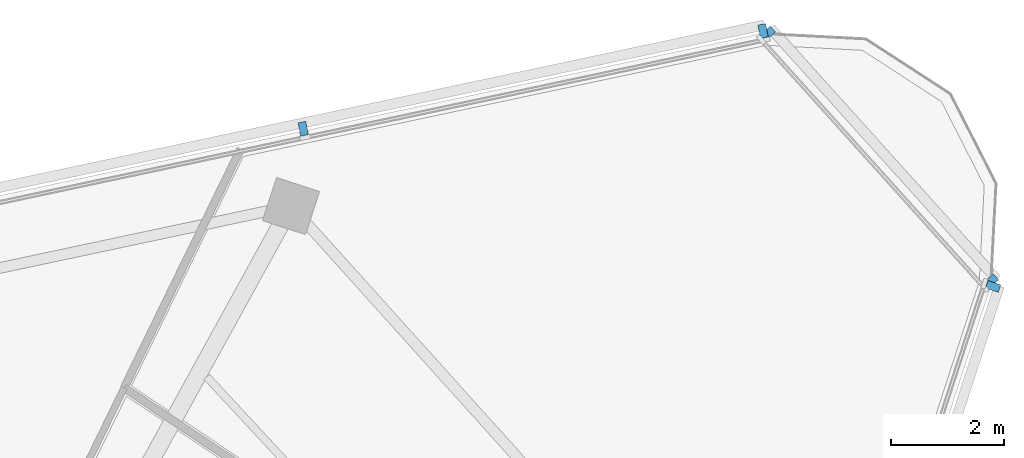
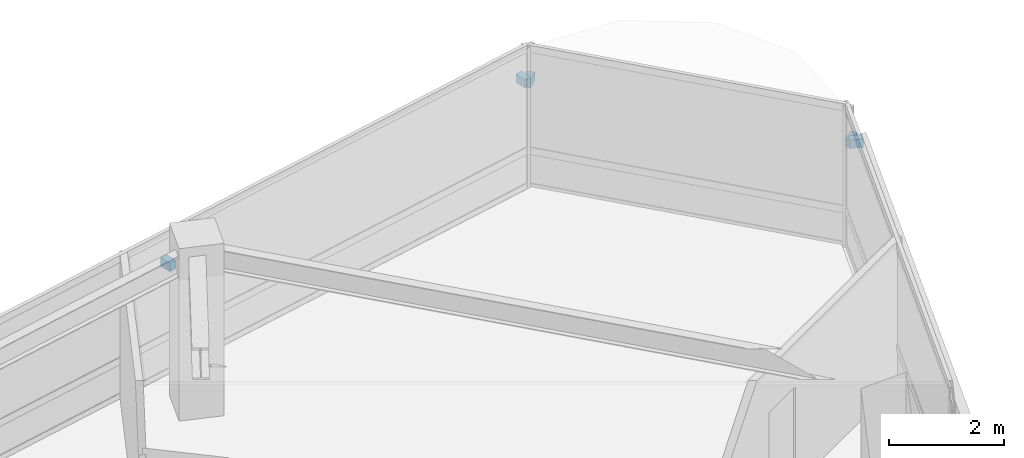
# One storey, part 11 of 15: 5 discrete accessories.
"""IFC4 building model written with IfcOpenShell, lengths in metres."""

from ifc_helpers import new_model, si_unit, direction, frame, origin, origin_2d, place, context, subcontext, project, spatial, rectangle, extrude, material, type_object, element, save


model = new_model("IFC4")

# Units and contexts
model_context = context("Model", 3, precision=1e-05, world=origin(), true_north=direction((0.0, 1.0)))
body_context = subcontext(model_context, "Body", "Model", "MODEL_VIEW")
ifc_project = project(units=[si_unit("LENGTHUNIT", "METRE"), si_unit("AREAUNIT", "SQUARE_METRE"), si_unit("VOLUMEUNIT", "CUBIC_METRE"), si_unit("PLANEANGLEUNIT", "RADIAN"), si_unit("MASSUNIT", "GRAM", prefix="KILO")], contexts=[model_context])

# Site, building, storey
site_placement = place(None, origin())
site = spatial("IfcSite", under=ifc_project, at=site_placement, CompositionType="ELEMENT")
building_placement = place(site_placement, origin())
building = spatial("IfcBuilding", under=site, at=building_placement, Name="Terralouvre Media Tower", CompositionType="ELEMENT")
storey_placement = place(building_placement, frame((0.0, 0.0, 305.39990234375)))
storey = spatial("IfcBuildingStorey", under=building, at=storey_placement, Name="L79", CompositionType="ELEMENT", Elevation=305.39990234375)

# Discrete accessories
ifc_material = material(Name="Anodised extruded aluminium 6063-T6", Category="aluminium")
discrete_accessory_type = type_object("IfcDiscreteAccessoryType", Name="Mullion Stand-Off Baguette Fixing Bracket BK-01", PredefinedType="BRACKET", material=ifc_material)
for number, where, z_axis, x_axis, name in (
    (1, (22.22802734375, 15.93359375, 2.07421875), (0.0, 0.0, 1.0), (0.309017021946, 0.951056507337, 0.0), "CW-L79-F0 Baguette Outrigger Bracket 1.06"),
    (2, (18.169677734375, 20.440673828125, 2.07421875), (0.0, 0.0, 1.0), (-0.978147588229, -0.207911749648, 0.0), "CW-L79-F1L Baguette Outrigger Bracket 1.01"),
    (3, (10.058349609375, 18.716552734375, 2.07421875), (0.0, 0.0, 1.0), (-0.978147588229, -0.207911749648, 0.0), "CW-L79-F1L Baguette Outrigger Bracket 1.02"),
    (4, (22.19140625, 16.022705078125, 2.07421875), (0.0, 0.0, 1.0), (-0.669130231192, 0.743145163279, 0.0), "CW-L79-C1 Baguette Outrigger Bracket 1.01"),
    (5, (18.254638671875, 20.39501953125, 2.07421875), (0.0, 0.0, 1.0), (-0.669130231192, 0.743145163279, 0.0), "CW-L79-C1 Baguette Outrigger Bracket 1.02"),
):
    element("IfcDiscreteAccessory", number, at=place(storey_placement, frame(where, z_axis=z_axis, x_axis=x_axis)), inside=storey, type_object=discrete_accessory_type, Name=name, PredefinedType="BRACKET", context=body_context, shape_type="SweptSolid", body=[
        extrude(rectangle(XDim=0.139892578125, YDim=0.239990234375, at=origin_2d()), origin(), (0.0, 0.0, 1.0), 0.179931640625),
    ])

save(model, "model.ifc")
